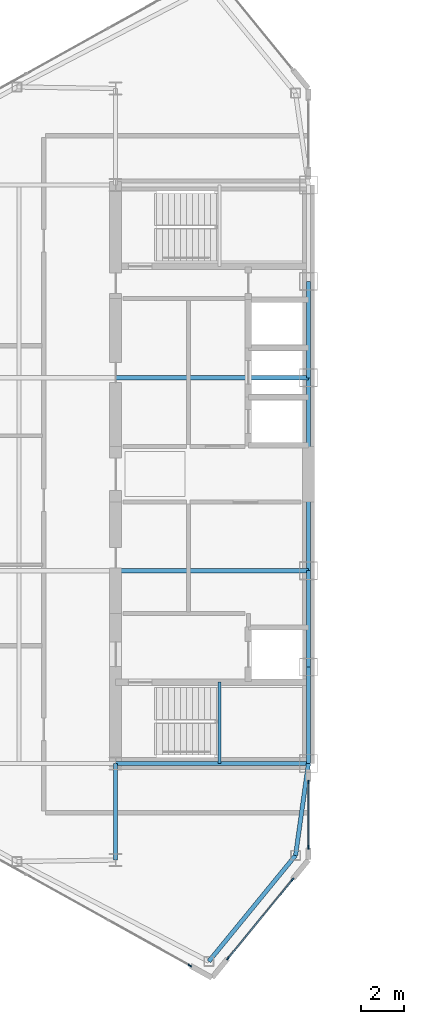
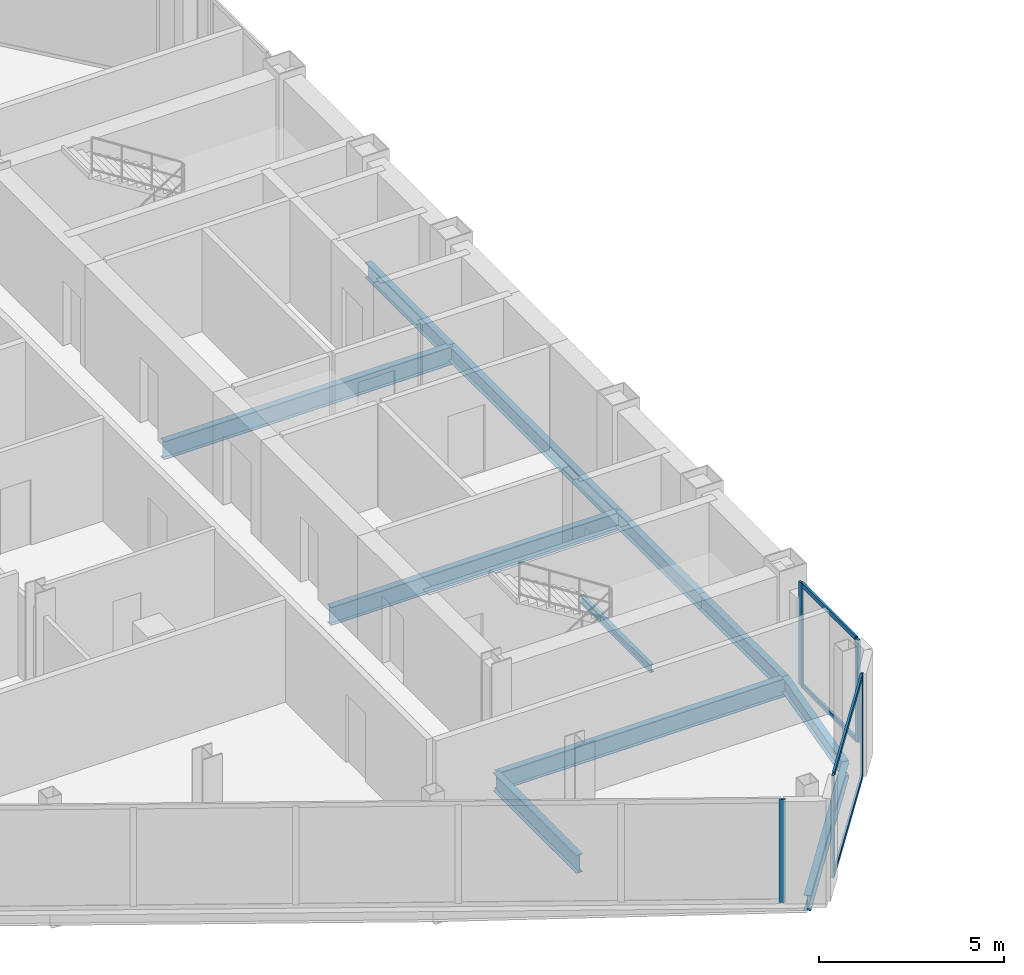
# One storey, part 7 of 26: 11 beams, 9 members, 3 elements without a shape of their own.
"""IFC4 building model written with IfcOpenShell, lengths in metres."""

import ifcopenshell
import ifcopenshell.guid

model = None  # the IFC model being written
_history = None  # IfcOwnerHistory: only IFC2X3 demands one
_inside = {}  # id of a spatial element -> (the spatial element, [elements in it])
_under = {}  # id of a project, library or spatial element -> (it, [spatial elements below it])
_declared = {}  # id of a project -> (the project, [libraries it declares])
_typed = {}  # id of a type object -> (the type object, [elements of that type])
_made_of = {}  # id of a material, layer set ... -> (it, [elements and type objects made of it])


def new_model(schema):
    """Start an empty IFC model of exactly this schema.

    Asked for "IFC4X3", IfcOpenShell would pick the latest addendum, in which some entities
    have other attributes; the version numbers below select the first issue.
    IFC2X3 requires an IfcOwnerHistory on every rooted entity: one is made here for all.
    """
    global model, _history
    if schema == "IFC4X3":
        model = ifcopenshell.file(schema_version=(4, 3, 0, 0))
    else:
        model = ifcopenshell.file(schema=schema)
    _inside.clear()
    _under.clear()
    _declared.clear()
    _typed.clear()
    _made_of.clear()
    _history = None
    if model.schema == "IFC2X3":
        org = make("IfcOrganization", Name="unknown")
        user = make(
            "IfcPersonAndOrganization",
            ThePerson=make("IfcPerson", FamilyName="unknown"),
            TheOrganization=org,
        )
        app = make(
            "IfcApplication",
            ApplicationDeveloper=org,
            Version="unknown",
            ApplicationFullName="unknown",
            ApplicationIdentifier="unknown",
        )
        _history = make(
            "IfcOwnerHistory",
            OwningUser=user,
            OwningApplication=app,
            ChangeAction="ADDED",
            CreationDate=0,
        )
    return model


def make(cls, **values):
    """One entity of the class cls with the attributes given. An attribute that is None is left unset."""
    return model.create_entity(
        cls, **{name: value for name, value in values.items() if value is not None}
    )


def rooted(cls, **values):
    """An entity with a GlobalId (a new one), such as an element, a storey or a relation."""
    return make(cls, GlobalId=ifcopenshell.guid.new(), OwnerHistory=_history, **values)


def si_unit(unit_type, name, prefix=None):
    """IfcSIUnit, for example si_unit("LENGTHUNIT", "METRE", prefix="MILLI")."""
    return make("IfcSIUnit", UnitType=unit_type, Prefix=prefix, Name=name)


def assignment(units):
    """IfcUnitAssignment: the units of a project."""
    return None if units is None else make("IfcUnitAssignment", Units=units)


def point(xyz):
    """IfcCartesianPoint."""
    return None if xyz is None else make("IfcCartesianPoint", Coordinates=xyz)


def direction(xyz):
    """IfcDirection."""
    return None if xyz is None else make("IfcDirection", DirectionRatios=xyz)


def frame(location, z_axis=None, x_axis=None):
    """IfcAxis2Placement3D, a coordinate frame: its origin and axes. An axis left out is left unset."""
    return make(
        "IfcAxis2Placement3D",
        Location=point(location),
        Axis=direction(z_axis),
        RefDirection=direction(x_axis),
    )


def frame_2d(location, x_axis=None):
    """IfcAxis2Placement2D, a coordinate frame in the plane: its origin and x axis."""
    return make(
        "IfcAxis2Placement2D", Location=point(location), RefDirection=direction(x_axis)
    )


def origin():
    """The frame at (0, 0, 0) with its axes left unset."""
    return frame((0.0, 0.0, 0.0))


def origin_2d():
    """The frame at (0, 0) in the plane with its x axis left unset."""
    return frame_2d((0.0, 0.0))


def place(relative_to, where):
    """IfcLocalPlacement: puts the frame where relative to a parent placement (None: the world)."""
    return make(
        "IfcLocalPlacement", PlacementRelTo=relative_to, RelativePlacement=where
    )


def context(
    kind, dimensions, precision=None, world=None, true_north=None, identifier=None
):
    """IfcGeometricRepresentationContext, for example the 3D "Model" context."""
    return make(
        "IfcGeometricRepresentationContext",
        ContextIdentifier=identifier,
        ContextType=kind,
        CoordinateSpaceDimension=dimensions,
        Precision=precision,
        WorldCoordinateSystem=world,
        TrueNorth=true_north,
    )


def subcontext(parent, identifier, kind, view, scale=None):
    """IfcGeometricRepresentationSubContext, for example "Body" below "Model"."""
    return make(
        "IfcGeometricRepresentationSubContext",
        ContextIdentifier=identifier,
        ContextType=kind,
        ParentContext=parent,
        TargetScale=scale,
        TargetView=view,
    )


def project(units=None, contexts=None):
    """IfcProject with its units and contexts."""
    return rooted(
        "IfcProject",
        Name="project",
        RepresentationContexts=contexts,
        UnitsInContext=assignment(units),
    )


def spatial(cls, under=None, at=None, **own):
    """A site, building, storey or space (cls), placed at a placement, below another one or the project."""
    s = rooted(cls, ObjectPlacement=at, **own)
    if under is not None:
        _under.setdefault(under.id(), (under, []))[1].append(s)
    return s


def profile(cls, at=None, kind="AREA", **sizes):
    """A parametric profile (cls). Its sizes go by their IFC names, for example OverallWidth=200.0."""
    return make(cls, ProfileType=kind, Position=at, **sizes)


def rectangle(**sizes):
    """IfcRectangleProfileDef."""
    return profile("IfcRectangleProfileDef", **sizes)


def i_section(**sizes):
    """IfcIShapeProfileDef."""
    return profile("IfcIShapeProfileDef", **sizes)


def extrude(swept, where, along, depth):
    """IfcExtrudedAreaSolid: the profile swept, set in the frame where, extruded along a direction by depth."""
    return make(
        "IfcExtrudedAreaSolid",
        SweptArea=swept,
        Position=where,
        ExtrudedDirection=direction(along),
        Depth=depth,
    )


def shape(context_of_items, identifier, shape_type, items):
    """IfcShapeRepresentation: the items that make up one representation, for example the "Body"."""
    return make(
        "IfcShapeRepresentation",
        ContextOfItems=context_of_items,
        RepresentationIdentifier=identifier,
        RepresentationType=shape_type,
        Items=items,
    )


def source(mapping_origin, context_of_items, identifier, shape_type, items):
    """IfcRepresentationMap: a shape defined once, which mapped items show again and again."""
    return make(
        "IfcRepresentationMap",
        MappingOrigin=mapping_origin,
        MappedRepresentation=shape(context_of_items, identifier, shape_type, items),
    )


def transform(
    local_origin,
    x_axis=None,
    y_axis=None,
    z_axis=None,
    scale=None,
    scale2=None,
    scale3=None,
    uniform=True,
):
    """IfcCartesianTransformationOperator3D, or its non-uniform kind. x_axis, y_axis, z_axis: its Axis1, 2, 3."""
    if uniform:
        return make(
            "IfcCartesianTransformationOperator3D",
            Axis1=direction(x_axis),
            Axis2=direction(y_axis),
            LocalOrigin=point(local_origin),
            Scale=scale,
            Axis3=direction(z_axis),
        )
    return make(
        "IfcCartesianTransformationOperator3DnonUniform",
        Axis1=direction(x_axis),
        Axis2=direction(y_axis),
        LocalOrigin=point(local_origin),
        Scale=scale,
        Axis3=direction(z_axis),
        Scale2=scale2,
        Scale3=scale3,
    )


def mapped(mapping_source, mapping_target):
    """IfcMappedItem: shows the shape of a source again, moved by a transform."""
    return make(
        "IfcMappedItem", MappingSource=mapping_source, MappingTarget=mapping_target
    )


def material(Name=None, Category=None):
    """IfcMaterial."""
    return make("IfcMaterial", Name=Name, Category=Category)


def layer(
    of_material, thickness, ventilated=None, Name=None, Category=None, Priority=None
):
    """IfcMaterialLayer: one layer of a wall or slab, of a material (None: an air gap)."""
    return make(
        "IfcMaterialLayer",
        Material=of_material,
        LayerThickness=thickness,
        IsVentilated=ventilated,
        Name=Name,
        Category=Category,
        Priority=Priority,
    )


def layer_set(layers, Name=None):
    """IfcMaterialLayerSet."""
    return make("IfcMaterialLayerSet", MaterialLayers=layers, LayerSetName=Name)


def material_profile(
    of_material, cross_section, Name=None, Category=None, Priority=None
):
    """IfcMaterialProfile: a cross section and its material."""
    return make(
        "IfcMaterialProfile",
        Name=Name,
        Material=of_material,
        Profile=cross_section,
        Priority=Priority,
        Category=Category,
    )


def profile_set(profiles, Name=None, composite=None):
    """IfcMaterialProfileSet."""
    return make(
        "IfcMaterialProfileSet",
        Name=Name,
        MaterialProfiles=profiles,
        CompositeProfile=composite,
    )


def made_of(thing, what):
    """Note that an element or type object is made of a material, layer set ...; save() writes the relation."""
    if what is not None:
        _made_of.setdefault(what.id(), (what, []))[1].append(thing)
    return thing


def type_object(cls, material=None, **own):
    """A type object (cls), such as IfcWallType, which elements share."""
    return made_of(rooted(cls, **own), material)


def type_shapes(of_type, sources):
    """Give a type object the sources (RepresentationMaps) that its elements show as mapped items."""
    of_type.RepresentationMaps = sources


def element(
    cls,
    number,
    at=None,
    inside=None,
    cuts=None,
    type_object=None,
    material=None,
    context=None,
    identifier="Body",
    shape_type=None,
    held_by="IfcProductDefinitionShape",
    body=None,
    shapes=None,
    **own,
):
    """One element of the class cls, such as IfcWall. Its Tag is "e" and its number.

    at: its placement. inside: the storey or other place that contains it. cuts: it is an
    opening in that element (IfcRelVoidsElement). A single representation is given by context,
    identifier, shape_type and body (its items); several are given by shapes. held_by: the class
    of the entity that holds the representations. save() writes the other relations.
    """
    e = rooted(cls, Tag="e%d" % number, ObjectPlacement=at, **own)
    if body is not None:
        shapes = [shape(context, identifier, shape_type, body)]
    if shapes is not None:
        e.Representation = make(held_by, Representations=shapes)
    if inside is not None:
        _inside.setdefault(inside.id(), (inside, []))[1].append(e)
    if cuts is not None:
        rooted(
            "IfcRelVoidsElement", RelatingBuildingElement=cuts, RelatedOpeningElement=e
        )
    if type_object is not None:
        _typed.setdefault(type_object.id(), (type_object, []))[1].append(e)
    return made_of(e, material)


def aggregate(whole, parts):
    """IfcRelAggregates: a whole, such as a stair, and the parts it consists of."""
    return rooted("IfcRelAggregates", RelatingObject=whole, RelatedObjects=parts)


def save(model, path):
    """Write the relations noted so far, then the file.

    IfcRelAggregates (storeys below a building ...), IfcRelContainedInSpatialStructure (elements
    in a storey), IfcRelDefinesByType, IfcRelAssociatesMaterial and IfcRelDeclares: one each for
    every whole, place, type object, material and project.
    """
    for whole, parts in _under.values():
        aggregate(whole, parts)
    for where, things in _inside.values():
        rooted(
            "IfcRelContainedInSpatialStructure",
            RelatedElements=things,
            RelatingStructure=where,
        )
    for kind, things in _typed.values():
        rooted("IfcRelDefinesByType", RelatedObjects=things, RelatingType=kind)
    for what, things in _made_of.values():
        rooted("IfcRelAssociatesMaterial", RelatedObjects=things, RelatingMaterial=what)
    for by, libraries in _declared.values():
        rooted("IfcRelDeclares", RelatingContext=by, RelatedDefinitions=libraries)
    model.write(path)


model = new_model("IFC4")

# Units and contexts
model_context = context("Model", 3, precision=1e-05, world=origin(), true_north=direction((0.0, 1.0)))
body_context = subcontext(model_context, "Body", "Model", "MODEL_VIEW")
ifc_project = project(units=[si_unit("LENGTHUNIT", "METRE"), si_unit("AREAUNIT", "SQUARE_METRE"), si_unit("VOLUMEUNIT", "CUBIC_METRE"), si_unit("PLANEANGLEUNIT", "RADIAN"), si_unit("MASSUNIT", "GRAM", prefix="KILO")], contexts=[model_context])

# Site, building, storey
site_placement = place(None, origin())
site = spatial("IfcSite", under=ifc_project, at=site_placement, CompositionType="ELEMENT")
building_placement = place(site_placement, origin())
building = spatial("IfcBuilding", under=site, at=building_placement, Name="Seokmaru Belvedere", CompositionType="ELEMENT")
storey_placement = place(building_placement, frame((0.0, 0.0, 170.699951171875)))
storey = spatial("IfcBuildingStorey", under=building, at=storey_placement, Name="L45", CompositionType="ELEMENT", Elevation=170.699951171875)

# Beams
ifc_material_1 = material(Name="Steel SM355 (355 MPa)", Category="steel")
ifc_material_profile_1 = material_profile(ifc_material_1, i_section(OverallWidth=0.199951171875, OverallDepth=0.5, WebThickness=0.010009765625, FlangeThickness=0.01611328125, at=origin_2d()), Name="H-500x200x10x16")
ifc_profile_set_1 = profile_set([ifc_material_profile_1], Name="Steel SM355 (355 MPa)")
beam_type_1 = type_object("IfcBeamType", Name="Perimeter Spandrel Beam H-500", PredefinedType="SPANDREL", material=ifc_profile_set_1)
shared_shape_1 = source(origin(), body_context, "Body", "SweptSolid", [
    extrude(i_section(OverallWidth=0.199951171875, OverallDepth=0.5, WebThickness=0.010009765625, FlangeThickness=0.01611328125, at=origin_2d()), origin(), (0.0, 0.0, 1.0), 4.5),
])
for number, where, z_axis, x_axis, name in (
    (1, (-27.5, -13.5, -0.469970703125), (0.0, 1.0, 0.0), (-1.0, 0.0, 0.0), "L45 W Portal Spine Spandrel 1"),
    (2, (-27.5, -9.0, -0.469970703125), (0.0, 1.0, 0.0), (-1.0, 0.0, 0.0), "L45 W Portal Spine Spandrel 2"),
    (3, (-27.5, 4.5, -0.469970703125), (0.0, 1.0, 0.0), (-1.0, 0.0, 0.0), "L45 W Portal Spine Spandrel 4"),
):
    element("IfcBeam", number, at=place(storey_placement, frame(where, z_axis=z_axis, x_axis=x_axis)), inside=storey, type_object=beam_type_1, Name=name, PredefinedType="SPANDREL", context=body_context, shape_type="MappedRepresentation", body=[
        mapped(shared_shape_1, transform((0.0, 0.0, 0.0), scale=1.0)),
    ])
shared_shape_2 = source(origin(), body_context, "Body", "SweptSolid", [
    extrude(i_section(OverallWidth=0.199951171875, OverallDepth=0.5, WebThickness=0.010009765625, FlangeThickness=0.01611328125, at=origin_2d()), origin(), (0.0, 0.0, 1.0), 9.0),
])
beam_1_placement = place(storey_placement, frame((-27.5, -4.5, -0.469970703125), z_axis=(0.0, 1.0, 0.0), x_axis=(-1.0, 0.0, 0.0)))
element("IfcBeam", 4, at=beam_1_placement, inside=storey, type_object=beam_type_1, Name="L45 W Portal Spine Spandrel 3", PredefinedType="SPANDREL", context=body_context, shape_type="MappedRepresentation", body=[
    mapped(shared_shape_2, transform((0.0, 0.0, 0.0), scale=1.0)),
])
ifc_material_profile_2 = material_profile(ifc_material_1, i_section(OverallWidth=0.199951171875, OverallDepth=0.60009765625, WebThickness=0.010986328125, FlangeThickness=0.01708984375, at=origin_2d()), Name="H-600x200x11x17")
ifc_profile_set_2 = profile_set([ifc_material_profile_2], Name="Steel SM355 (355 MPa)")
beam_type_2 = type_object("IfcBeamType", Name="Primary Floor Girder H-600", PredefinedType="BEAM", material=ifc_profile_set_2)
shared_shape_3 = source(origin(), body_context, "Body", "SweptSolid", [
    extrude(i_section(OverallWidth=0.199951171875, OverallDepth=0.60009765625, WebThickness=0.010986328125, FlangeThickness=0.01708984375, at=origin_2d()), origin(), (0.0, 0.0, 1.0), 9.0),
])
for number, where, z_axis, x_axis, name in (
    (5, (-36.5, -13.5, -0.52001953125), (1.0, 0.0, 0.0), (0.0, 1.0, 0.0), "L45 W Core Tie Girder 1"),
    (6, (-36.5, -4.5, -0.52001953125), (1.0, 0.0, 0.0), (0.0, 1.0, 0.0), "L45 W Core Tie Girder 2"),
    (7, (-36.5, 4.5, -0.52001953125), (1.0, 0.0, 0.0), (0.0, 1.0, 0.0), "L45 W Core Tie Girder 3"),
):
    element("IfcBeam", number, at=place(storey_placement, frame(where, z_axis=z_axis, x_axis=x_axis)), inside=storey, type_object=beam_type_2, Name=name, PredefinedType="BEAM", context=body_context, shape_type="MappedRepresentation", body=[
        mapped(shared_shape_3, transform((0.0, 0.0, 0.0), scale=1.0)),
    ])
shared_shape_4 = source(origin(), body_context, "Body", "SweptSolid", [
    extrude(i_section(OverallWidth=0.199951171875, OverallDepth=0.60009765625, WebThickness=0.010986328125, FlangeThickness=0.01708984375, at=origin_2d()), origin(), (0.0, 0.0, 1.0), 4.5),
])
type_shapes(beam_type_2, [shared_shape_3, shared_shape_4])
beam_2_placement = place(storey_placement, frame((-36.5, -18.0, -0.52001953125), z_axis=(0.0, 1.0, 0.0), x_axis=(-1.0, 0.0, 0.0)))
element("IfcBeam", 8, at=beam_2_placement, inside=storey, type_object=beam_type_2, Name="L45 W Core Shoulder Girder S", PredefinedType="BEAM", context=body_context, shape_type="MappedRepresentation", body=[
    mapped(shared_shape_4, transform((0.0, 0.0, 0.0), scale=1.0)),
])
shared_shape_5 = source(origin(), body_context, "Body", "SweptSolid", [
    extrude(i_section(OverallWidth=0.199951171875, OverallDepth=0.5, WebThickness=0.010009765625, FlangeThickness=0.01611328125, at=origin_2d()), origin(), (0.0, 0.0, 1.0), 6.390380859375),
])
beam_3_placement = place(storey_placement, frame((-32.146728515625, -22.731689453125, -0.469970703125), z_axis=(0.63324403161, 0.7739521926, 0.0), x_axis=(-0.7739521926, 0.63324403161, 0.0)))
element("IfcBeam", 9, at=beam_3_placement, inside=storey, type_object=beam_type_1, Name="L45 W Shoulder Chamfer Spandrel S", PredefinedType="SPANDREL", context=body_context, shape_type="MappedRepresentation", body=[
    mapped(shared_shape_5, transform((0.0, 0.0, 0.0), scale=1.0)),
])
shared_shape_6 = source(origin(), body_context, "Body", "SweptSolid", [
    extrude(i_section(OverallWidth=0.199951171875, OverallDepth=0.5, WebThickness=0.010009765625, FlangeThickness=0.01611328125, at=origin_2d()), origin(), (0.0, 0.0, 1.0), 4.32763671875),
])
type_shapes(beam_type_1, [shared_shape_1, shared_shape_2, shared_shape_5, shared_shape_6])
beam_4_placement = place(storey_placement, frame((-28.10009765625, -17.785888671875, -0.469970703125), z_axis=(0.138664443237, 0.990339422714, 0.0), x_axis=(-0.990339422714, 0.138664443237, 0.0)))
element("IfcBeam", 10, at=beam_4_placement, inside=storey, type_object=beam_type_1, Name="L45 W Shoulder Spine Spandrel S", PredefinedType="SPANDREL", context=body_context, shape_type="MappedRepresentation", body=[
    mapped(shared_shape_6, transform((0.0, 0.0, 0.0), scale=1.0)),
])

# Curtain wall, members
ifc_material_2 = material(Name="Bronze Triple Insulating Glass", Category="glass")
ifc_layer = layer(ifc_material_2, 0.179931640625)
ifc_layer_set = layer_set([ifc_layer], Name="Bronze Triple Insulating Glass")
curtain_wall_type = type_object("IfcCurtainWallType", Name="High-Rise Wind-Corner Curtain Wall System CW-5", PredefinedType="NOTDEFINED", material=ifc_layer_set)
curtain_wall_1_placement = place(storey_placement, origin())
curtain_wall_1 = element("IfcCurtainWall", 11, at=curtain_wall_1_placement, inside=storey, type_object=curtain_wall_type, Name="L45 Curtain Wall WSP_1", PredefinedType="NOTDEFINED")
ifc_material_3 = material(Name="Anodised Bronze Aluminium", Category="aluminium")
ifc_material_profile_3 = material_profile(ifc_material_3, rectangle(XDim=0.06494140625, YDim=0.14990234375, at=origin_2d()), Name="CW-T-65x150")
ifc_profile_set_3 = profile_set([ifc_material_profile_3], Name="Anodised Bronze Aluminium")
member_type_1 = type_object("IfcMemberType", Name="Bronze Unitised Transom 65x150", PredefinedType="USERDEFINED", material=ifc_profile_set_3)
shared_shape_7 = source(origin(), body_context, "Body", "SweptSolid", [
    extrude(rectangle(XDim=0.06494140625, YDim=0.14990234375, at=origin_2d()), origin(), (0.0, 0.0, 1.0), 2.969970703125),
])
member_1_placement = place(storey_placement, frame((-27.5, -17.364990234375, 0.032470703125), z_axis=(0.0, 1.0, 0.0), x_axis=(-1.0, 0.0, 0.0)))
member_1 = element("IfcMember", 12, at=member_1_placement, type_object=member_type_1, Name="CW:L45:WSP_1 Continuous Transom 1", ObjectType="TRANSOM", PredefinedType="USERDEFINED", context=body_context, shape_type="MappedRepresentation", body=[
    mapped(shared_shape_7, transform((0.0, 0.0, 0.0), scale=1.0)),
])
member_2_placement = place(storey_placement, frame((-27.5, -17.364990234375, 3.34765625), z_axis=(0.0, 1.0, 0.0), x_axis=(-1.0, 0.0, 0.0)))
member_2 = element("IfcMember", 13, at=member_2_placement, type_object=member_type_1, Name="CW:L45:WSP_1 Continuous Transom 2", ObjectType="TRANSOM", PredefinedType="USERDEFINED", context=body_context, shape_type="MappedRepresentation", body=[
    mapped(shared_shape_7, transform((0.0, 0.0, 0.0), scale=1.0)),
])

curtain_wall_2_placement = place(storey_placement, origin())
curtain_wall_2 = element("IfcCurtainWall", 14, at=curtain_wall_2_placement, inside=storey, type_object=curtain_wall_type, Name="L45 Curtain Wall WF6", PredefinedType="NOTDEFINED")
shared_shape_8 = source(origin(), body_context, "Body", "SweptSolid", [
    extrude(rectangle(XDim=0.06494140625, YDim=0.14990234375, at=origin_2d()), origin(), (0.0, 0.0, 1.0), 4.67626953125),
])
type_shapes(member_type_1, [shared_shape_7, shared_shape_8])
member_3_placement = place(storey_placement, frame((-31.230712890625, -22.5595703125, 0.032470703125), z_axis=(0.633277591216, 0.773924733074, 0.0), x_axis=(-0.773924733074, 0.633277591216, 0.0)))
member_3 = element("IfcMember", 15, at=member_3_placement, type_object=member_type_1, Name="CW:L45:WF6 Continuous Transom 1", ObjectType="TRANSOM", PredefinedType="USERDEFINED", context=body_context, shape_type="MappedRepresentation", body=[
    mapped(shared_shape_8, transform((0.0, 0.0, 0.0), scale=1.0)),
])
member_4_placement = place(storey_placement, frame((-31.230712890625, -22.5595703125, 3.34765625), z_axis=(0.633277591216, 0.773924733074, 0.0), x_axis=(-0.773924733074, 0.633277591216, 0.0)))
member_4 = element("IfcMember", 16, at=member_4_placement, type_object=member_type_1, Name="CW:L45:WF6 Continuous Transom 2", ObjectType="TRANSOM", PredefinedType="USERDEFINED", context=body_context, shape_type="MappedRepresentation", body=[
    mapped(shared_shape_8, transform((0.0, 0.0, 0.0), scale=1.0)),
])

# Member
ifc_material_profile_4 = material_profile(ifc_material_3, rectangle(XDim=0.06494140625, YDim=0.179931640625, at=origin_2d()), Name="CW-M-65x180")
ifc_profile_set_4 = profile_set([ifc_material_profile_4], Name="Anodised Bronze Aluminium")
member_type_2 = type_object("IfcMemberType", Name="Bronze Unitised Mullion 65x180", PredefinedType="MULLION", material=ifc_profile_set_4)
shared_shape_9 = source(origin(), body_context, "Body", "SweptSolid", [
    extrude(rectangle(XDim=0.06494140625, YDim=0.179931640625, at=origin_2d()), origin(), (0.0, 0.0, 1.0), 3.380126953125),
])
type_shapes(member_type_2, [shared_shape_9])
member_5_placement = place(storey_placement, frame((-27.5, -17.3974609375, 0.0), z_axis=(0.0, 0.0, 1.0), x_axis=(-1.0, 0.0, 0.0)))
member_5 = element("IfcMember", 17, at=member_5_placement, type_object=member_type_2, Name="CW:L45:WSP_1 Mullion 1", PredefinedType="MULLION", context=body_context, shape_type="MappedRepresentation", body=[
    mapped(shared_shape_9, transform((0.0, 0.0, 0.0), scale=1.0)),
])

member_6_placement = place(storey_placement, frame((-27.5, -14.362548828125, 0.0), z_axis=(0.0, 0.0, 1.0), x_axis=(-1.0, 0.0, 0.0)))
member_6 = element("IfcMember", 18, at=member_6_placement, type_object=member_type_2, Name="CW:L45:WSP_1 Mullion 2", PredefinedType="MULLION", context=body_context, shape_type="MappedRepresentation", body=[
    mapped(shared_shape_9, transform((0.0, 0.0, 0.0), scale=1.0)),
])

aggregate(curtain_wall_1, [member_5, member_6, member_1, member_2])

# Curtain wall, member
curtain_wall_3_placement = place(storey_placement, origin())
curtain_wall_3 = element("IfcCurtainWall", 19, at=curtain_wall_3_placement, inside=storey, type_object=curtain_wall_type, Name="L45 Curtain Wall WF5", PredefinedType="NOTDEFINED")
member_7_placement = place(storey_placement, frame((-33.033447265625, -22.92529296875, 0.0), z_axis=(0.0, 0.0, 1.0), x_axis=(0.486047125147, 0.873932601598, 0.0)))
member_7 = element("IfcMember", 20, at=member_7_placement, type_object=member_type_2, Name="CW:L45:WF5 Mullion 10", PredefinedType="MULLION", context=body_context, shape_type="MappedRepresentation", body=[
    mapped(shared_shape_9, transform((0.0, 0.0, 0.0), scale=1.0)),
])
aggregate(curtain_wall_3, [member_7])

# Member
member_8_placement = place(storey_placement, frame((-31.251220703125, -22.584716796875, 0.0), z_axis=(0.0, 0.0, 1.0), x_axis=(-0.773944112379, 0.633253907144, 0.0)))
member_8 = element("IfcMember", 21, at=member_8_placement, type_object=member_type_2, Name="CW:L45:WF6 Mullion 1", PredefinedType="MULLION", context=body_context, shape_type="MappedRepresentation", body=[
    mapped(shared_shape_9, transform((0.0, 0.0, 0.0), scale=1.0)),
])

member_9_placement = place(storey_placement, frame((-28.248779296875, -18.915283203125, 0.0), z_axis=(0.0, 0.0, 1.0), x_axis=(-0.773944112379, 0.633253907144, 0.0)))
member_9 = element("IfcMember", 22, at=member_9_placement, type_object=member_type_2, Name="CW:L45:WF6 Mullion 2", PredefinedType="MULLION", context=body_context, shape_type="MappedRepresentation", body=[
    mapped(shared_shape_9, transform((0.0, 0.0, 0.0), scale=1.0)),
])

aggregate(curtain_wall_2, [member_8, member_9, member_3, member_4])

# Beam
ifc_material_profile_5 = material_profile(ifc_material_1, i_section(OverallWidth=0.125, OverallDepth=0.25, WebThickness=0.006103515625, FlangeThickness=0.009033203125, at=origin_2d()), Name="H-250x125x6x9")
ifc_profile_set_5 = profile_set([ifc_material_profile_5], Name="Steel SM355 (355 MPa)")
beam_type_3 = type_object("IfcBeamType", Name="Stair Mid-Landing Support Beam H-250", PredefinedType="JOIST", material=ifc_profile_set_5)
shared_shape_10 = source(origin(), body_context, "Body", "SweptSolid", [
    extrude(i_section(OverallWidth=0.125, OverallDepth=0.25, WebThickness=0.006103515625, FlangeThickness=0.009033203125, at=origin_2d()), origin(), (0.0, 0.0, 1.0), 3.800048828125),
])
type_shapes(beam_type_3, [shared_shape_10])
beam_5_placement = place(storey_placement, frame((-31.64990234375, -13.5, 1.47509765625), z_axis=(0.0, 1.0, 0.0), x_axis=(-1.0, 0.0, 0.0)))
element("IfcBeam", 23, at=beam_5_placement, inside=storey, type_object=beam_type_3, Name="L45 Stair ST-W1 Mid-Landing Support Beam 1", PredefinedType="JOIST", context=body_context, shape_type="MappedRepresentation", body=[
    mapped(shared_shape_10, transform((0.0, 0.0, 0.0), scale=1.0)),
])

save(model, "model.ifc")
